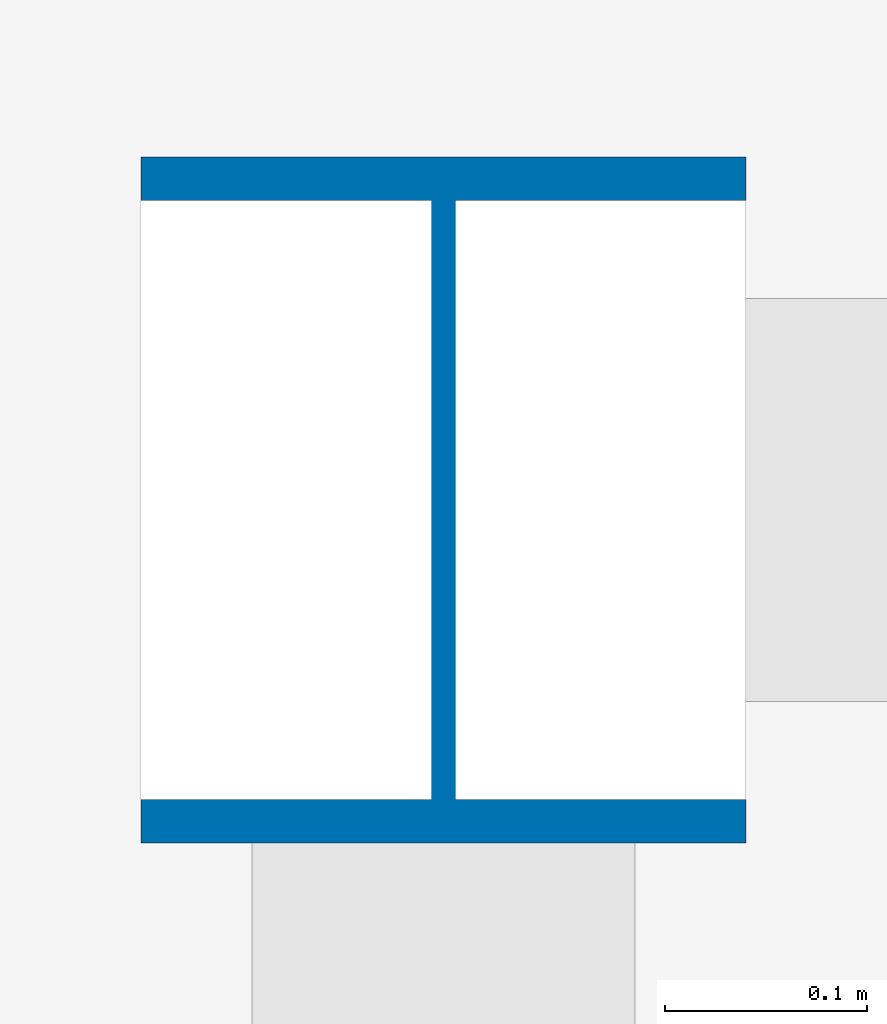
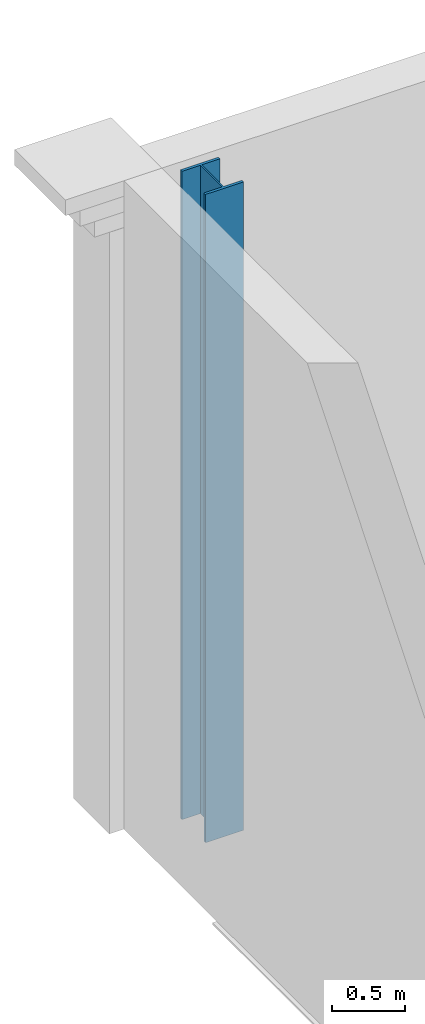
# One storey, part 2 of 321: 1 column.
"""IFC4 building model written with IfcOpenShell, lengths in metres."""

from ifc_helpers import new_model, si_unit, direction, frame, origin, origin_2d, place, context, subcontext, project, spatial, i_section, extrude, material, material_profile, profile_set, type_object, element, save


model = new_model("IFC4")

# Units and contexts
model_context = context("Model", 3, precision=1e-05, world=origin(), true_north=direction((0.0, 1.0)))
body_context = subcontext(model_context, "Body", "Model", "MODEL_VIEW")
ifc_project = project(units=[si_unit("LENGTHUNIT", "METRE"), si_unit("AREAUNIT", "SQUARE_METRE"), si_unit("VOLUMEUNIT", "CUBIC_METRE"), si_unit("PLANEANGLEUNIT", "RADIAN"), si_unit("MASSUNIT", "GRAM", prefix="KILO")], contexts=[model_context])

# Site, building, storey
site_placement = place(None, origin())
site = spatial("IfcSite", under=ifc_project, at=site_placement, CompositionType="ELEMENT")
building_placement = place(site_placement, origin())
building = spatial("IfcBuilding", under=site, at=building_placement, Name="Ravi Spectrum Wholesale Market", CompositionType="ELEMENT")
storey_placement = place(building_placement, frame((0.0, 0.0, 10.800048828125)))
storey = spatial("IfcBuildingStorey", under=building, at=storey_placement, Name="L02", CompositionType="ELEMENT", Elevation=10.800048828125)

# Column
ifc_material = material(Name="Steel S355", Category="steel")
ifc_material_profile = material_profile(ifc_material, i_section(OverallWidth=0.300048828125, OverallDepth=0.340087890625, WebThickness=0.011962890625, FlangeThickness=0.021484375, at=origin_2d()))
ifc_profile_set = profile_set([ifc_material_profile], Name="Steel S355")
column_type = type_object("IfcColumnType", Name="HEB 340 column", PredefinedType="COLUMN", material=ifc_profile_set)
column_placement = place(storey_placement, frame((198.0, 66.0, 0.0), z_axis=(0.0, 0.0, 1.0), x_axis=(1.0, 0.0, 0.0)))
element("IfcColumn", 1, at=column_placement, inside=storey, type_object=column_type, Name="CS-COL-L02-005", PredefinedType="COLUMN", context=body_context, shape_type="SweptSolid", body=[
    extrude(i_section(OverallWidth=0.300048828125, OverallDepth=0.340087890625, WebThickness=0.011962890625, FlangeThickness=0.021484375, at=origin_2d()), origin(), (0.0, 0.0, 1.0), 5.39990234375),
])

save(model, "model.ifc")
